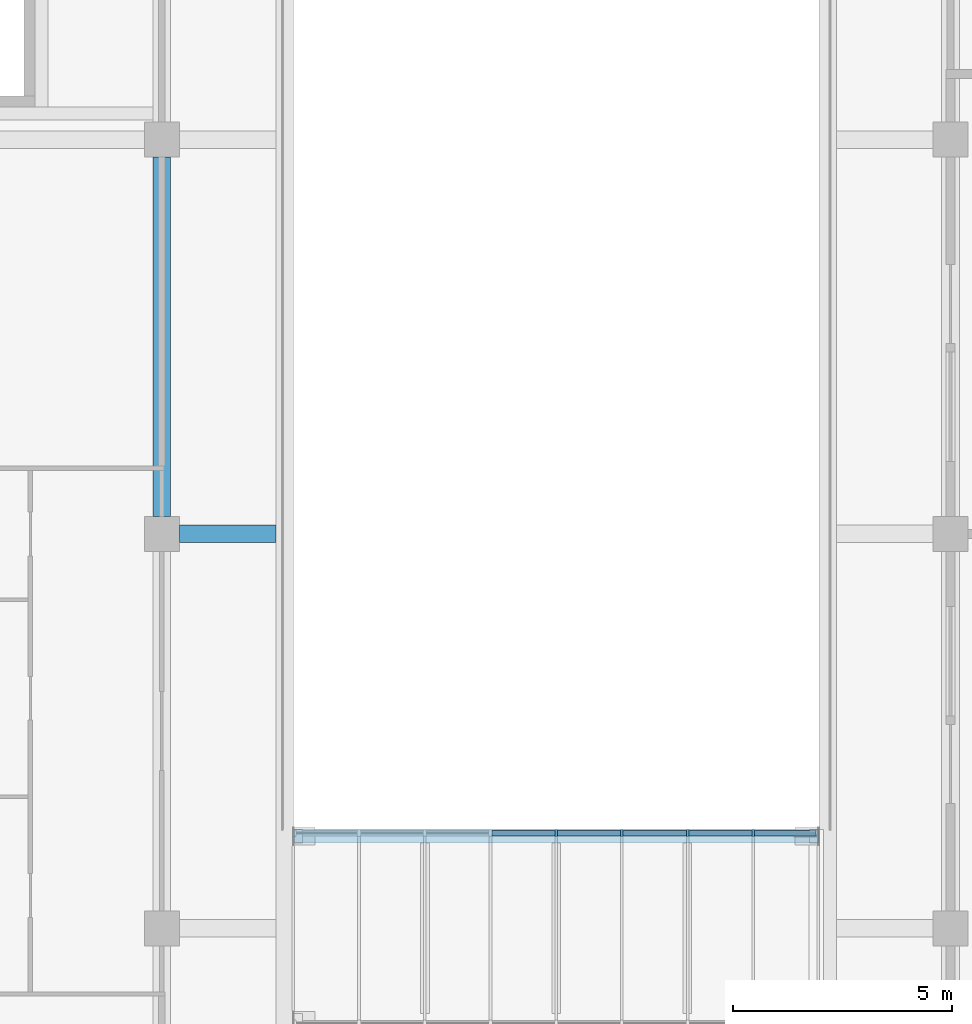
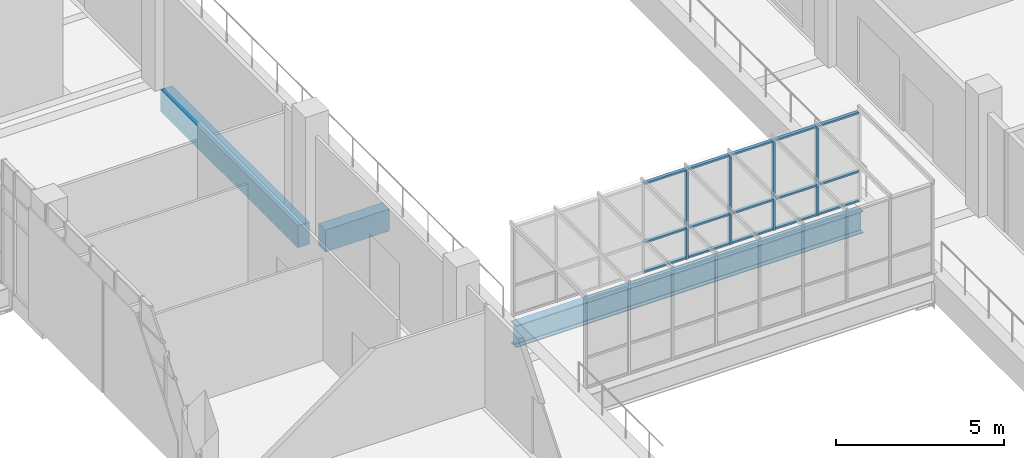
# One storey, part 17 of 88: 19 members, 3 beams, 1 element without a shape of its own.
"""IFC4 building model written with IfcOpenShell, lengths in metres."""

from ifc_helpers import new_model, si_unit, direction, frame, origin, origin_2d, place, context, subcontext, project, spatial, rectangle, i_section, extrude, material, layer, layer_set, material_profile, profile_set, type_object, element, aggregate, save


model = new_model("IFC4")

# Units and contexts
model_context = context("Model", 3, precision=1e-05, world=origin(), true_north=direction((0.0, 1.0)))
body_context = subcontext(model_context, "Body", "Model", "MODEL_VIEW")
ifc_project = project(units=[si_unit("LENGTHUNIT", "METRE"), si_unit("AREAUNIT", "SQUARE_METRE"), si_unit("VOLUMEUNIT", "CUBIC_METRE"), si_unit("PLANEANGLEUNIT", "RADIAN"), si_unit("MASSUNIT", "GRAM", prefix="KILO")], contexts=[model_context])

# Site, building, storey
site_placement = place(None, origin())
site = spatial("IfcSite", under=ifc_project, at=site_placement, CompositionType="ELEMENT")
building_placement = place(site_placement, origin())
building = spatial("IfcBuilding", under=site, at=building_placement, Name="Guidao Yard Department Store", CompositionType="ELEMENT")
storey_placement = place(building_placement, frame((0.0, 0.0, 6.0)))
storey = spatial("IfcBuildingStorey", under=building, at=storey_placement, Name="L01", CompositionType="ELEMENT", Elevation=6.0)

# Beams
ifc_material_1 = material(Name="Concrete C40", Category="concrete")
ifc_material_profile_1 = material_profile(ifc_material_1, rectangle(XDim=0.39990234375, YDim=0.800048828125, at=origin_2d()), Name="Edge beam 400 x 800 C40")
ifc_profile_set_1 = profile_set([ifc_material_profile_1], Name="Concrete C40")
beam_type_1 = type_object("IfcBeamType", Name="Edge beam 400 x 800 C40", PredefinedType="BEAM", material=ifc_profile_set_1)
beam_1_placement = place(storey_placement, frame((81.0, 72.39990234375, -0.39990234375), z_axis=(0.0, 1.0, 0.0), x_axis=(-1.0, 0.0, 0.0)))
element("IfcBeam", 1, at=beam_1_placement, inside=storey, type_object=beam_type_1, Name="Beam EB35", PredefinedType="BEAM", context=body_context, shape_type="SweptSolid", body=[
    extrude(rectangle(XDim=0.39990234375, YDim=0.800048828125, at=origin_2d()), origin(), (0.0, 0.0, 1.0), 8.2001953125),
])
beam_2_placement = place(storey_placement, frame((81.39990234375, 72.0, -0.39990234375), z_axis=(1.0, 0.0, 0.0), x_axis=(0.0, 1.0, 0.0)))
element("IfcBeam", 2, at=beam_2_placement, inside=storey, type_object=beam_type_1, Name="Beam EB41", PredefinedType="BEAM", context=body_context, shape_type="SweptSolid", body=[
    extrude(rectangle(XDim=0.39990234375, YDim=0.800048828125, at=origin_2d()), origin(), (0.0, 0.0, 1.0), 2.2001953125),
])
ifc_material_2 = material(Name="Steel Q355B", Category="steel")
ifc_material_profile_2 = material_profile(ifc_material_2, i_section(OverallWidth=0.300048828125, OverallDepth=0.800048828125, WebThickness=0.013916015625, FlangeThickness=0.02587890625, FilletRadius=0.01806640625, at=origin_2d()), Name="HN 800x300x14x26")
ifc_profile_set_2 = profile_set([ifc_material_profile_2], Name="Steel Q355B")
beam_type_2 = type_object("IfcBeamType", Name="HN 800x300x14x26", PredefinedType="BEAM", material=ifc_profile_set_2)
beam_3_placement = place(storey_placement, frame((84.014892578125, 65.10009765625, -0.64990234375), z_axis=(1.0, 0.0, 0.0), x_axis=(0.0, 1.0, 0.0)))
element("IfcBeam", 3, at=beam_3_placement, inside=storey, type_object=beam_type_2, Name="Bridge girder BR09N", PredefinedType="BEAM", context=body_context, shape_type="SweptSolid", body=[
    extrude(i_section(OverallWidth=0.300048828125, OverallDepth=0.800048828125, WebThickness=0.013916015625, FlangeThickness=0.02587890625, FilletRadius=0.01806640625, at=origin_2d()), origin(), (0.0, 0.0, 1.0), 11.97021484375),
])

# Curtain wall, members
ifc_material_3 = material(Name="Aluminium and glass", Category="aluminium")
ifc_layer = layer(ifc_material_3, 0.159912109375)
ifc_layer_set = layer_set([ifc_layer], Name="Bridge glazing CW5 1500 module")
curtain_wall_type = type_object("IfcCurtainWallType", Name="Bridge glazing CW5 1500 module", PredefinedType="NOTDEFINED", material=ifc_layer_set)
curtain_wall_placement = place(storey_placement, origin())
curtain_wall = element("IfcCurtainWall", 4, at=curtain_wall_placement, inside=storey, type_object=curtain_wall_type, Name="Bridge glazing BR09 N", PredefinedType="NOTDEFINED")
ifc_material_4 = material(Name="Aluminium 6063-T5", Category="aluminium")
ifc_material_profile_3 = material_profile(ifc_material_4, rectangle(XDim=0.06005859375, YDim=0.159912109375, at=origin_2d()), Name="Mullion M1 60 x 160 aluminium pressure plate")
ifc_profile_set_3 = profile_set([ifc_material_profile_3], Name="Aluminium 6063-T5")
member_type_1 = type_object("IfcMemberType", Name="Mullion M1 60 x 160 aluminium pressure plate", PredefinedType="MULLION", material=ifc_profile_set_3)
member_1_placement = place(storey_placement, frame((90.0, 65.169921875, 0.0), z_axis=(0.0, 0.0, 1.0), x_axis=(1.0, 0.0, 0.0)))
member_1 = element("IfcMember", 5, at=member_1_placement, type_object=member_type_1, Name="CW-N-L01-10 mullion 5", PredefinedType="MULLION", context=body_context, shape_type="SweptSolid", body=[
    extrude(rectangle(XDim=0.06005859375, YDim=0.159912109375, at=origin_2d()), origin(), (0.0, 0.0, 1.0), 3.27001953125),
])
member_2_placement = place(storey_placement, frame((91.5, 65.169921875, 0.0), z_axis=(0.0, 0.0, 1.0), x_axis=(1.0, 0.0, 0.0)))
member_2 = element("IfcMember", 6, at=member_2_placement, type_object=member_type_1, Name="CW-N-L01-10 mullion 6", PredefinedType="MULLION", context=body_context, shape_type="SweptSolid", body=[
    extrude(rectangle(XDim=0.06005859375, YDim=0.159912109375, at=origin_2d()), origin(), (0.0, 0.0, 1.0), 3.27001953125),
])
member_3_placement = place(storey_placement, frame((93.0, 65.169921875, 0.0), z_axis=(0.0, 0.0, 1.0), x_axis=(1.0, 0.0, 0.0)))
member_3 = element("IfcMember", 7, at=member_3_placement, type_object=member_type_1, Name="CW-N-L01-10 mullion 7", PredefinedType="MULLION", context=body_context, shape_type="SweptSolid", body=[
    extrude(rectangle(XDim=0.06005859375, YDim=0.159912109375, at=origin_2d()), origin(), (0.0, 0.0, 1.0), 3.27001953125),
])
member_4_placement = place(storey_placement, frame((94.5, 65.169921875, 0.0), z_axis=(0.0, 0.0, 1.0), x_axis=(1.0, 0.0, 0.0)))
member_4 = element("IfcMember", 8, at=member_4_placement, type_object=member_type_1, Name="CW-N-L01-10 mullion 8", PredefinedType="MULLION", context=body_context, shape_type="SweptSolid", body=[
    extrude(rectangle(XDim=0.06005859375, YDim=0.159912109375, at=origin_2d()), origin(), (0.0, 0.0, 1.0), 3.27001953125),
])
ifc_material_5 = material(Name="Aluminium 6063-T5", Category="aluminium")
ifc_material_profile_4 = material_profile(ifc_material_5, rectangle(XDim=0.1201171875, YDim=0.06005859375, at=origin_2d()), Name="Transom T1 60 x 120 aluminium pressure plate")
ifc_profile_set_4 = profile_set([ifc_material_profile_4], Name="Aluminium 6063-T5")
member_type_2 = type_object("IfcMemberType", Name="Transom T1 60 x 120 aluminium pressure plate", PredefinedType="USERDEFINED", material=ifc_profile_set_4)
member_5_placement = place(storey_placement, frame((88.530029296875, 65.169921875, 0.030029296875), z_axis=(1.0, 0.0, 0.0), x_axis=(0.0, 1.0, 0.0)))
member_5 = element("IfcMember", 9, at=member_5_placement, type_object=member_type_2, Name="CW-N-L01-10 transom 4.1", ObjectType="TRANSOM", PredefinedType="USERDEFINED", context=body_context, shape_type="SweptSolid", body=[
    extrude(rectangle(XDim=0.1201171875, YDim=0.06005859375, at=origin_2d()), origin(), (0.0, 0.0, 1.0), 1.43994140625),
])
member_6_placement = place(storey_placement, frame((88.530029296875, 65.169921875, 1.10009765625), z_axis=(1.0, 0.0, 0.0), x_axis=(0.0, 1.0, 0.0)))
member_6 = element("IfcMember", 10, at=member_6_placement, type_object=member_type_2, Name="CW-N-L01-10 transom 4.2", ObjectType="TRANSOM", PredefinedType="USERDEFINED", context=body_context, shape_type="SweptSolid", body=[
    extrude(rectangle(XDim=0.1201171875, YDim=0.06005859375, at=origin_2d()), origin(), (0.0, 0.0, 1.0), 1.43994140625),
])
member_7_placement = place(storey_placement, frame((88.530029296875, 65.169921875, 3.239990234375), z_axis=(1.0, 0.0, 0.0), x_axis=(0.0, 1.0, 0.0)))
member_7 = element("IfcMember", 11, at=member_7_placement, type_object=member_type_2, Name="CW-N-L01-10 transom 4.3", ObjectType="TRANSOM", PredefinedType="USERDEFINED", context=body_context, shape_type="SweptSolid", body=[
    extrude(rectangle(XDim=0.1201171875, YDim=0.06005859375, at=origin_2d()), origin(), (0.0, 0.0, 1.0), 1.43994140625),
])
member_8_placement = place(storey_placement, frame((90.030029296875, 65.169921875, 0.030029296875), z_axis=(1.0, 0.0, 0.0), x_axis=(0.0, 1.0, 0.0)))
member_8 = element("IfcMember", 12, at=member_8_placement, type_object=member_type_2, Name="CW-N-L01-10 transom 5.1", ObjectType="TRANSOM", PredefinedType="USERDEFINED", context=body_context, shape_type="SweptSolid", body=[
    extrude(rectangle(XDim=0.1201171875, YDim=0.06005859375, at=origin_2d()), origin(), (0.0, 0.0, 1.0), 1.43994140625),
])
member_9_placement = place(storey_placement, frame((90.030029296875, 65.169921875, 1.10009765625), z_axis=(1.0, 0.0, 0.0), x_axis=(0.0, 1.0, 0.0)))
member_9 = element("IfcMember", 13, at=member_9_placement, type_object=member_type_2, Name="CW-N-L01-10 transom 5.2", ObjectType="TRANSOM", PredefinedType="USERDEFINED", context=body_context, shape_type="SweptSolid", body=[
    extrude(rectangle(XDim=0.1201171875, YDim=0.06005859375, at=origin_2d()), origin(), (0.0, 0.0, 1.0), 1.43994140625),
])
member_10_placement = place(storey_placement, frame((90.030029296875, 65.169921875, 3.239990234375), z_axis=(1.0, 0.0, 0.0), x_axis=(0.0, 1.0, 0.0)))
member_10 = element("IfcMember", 14, at=member_10_placement, type_object=member_type_2, Name="CW-N-L01-10 transom 5.3", ObjectType="TRANSOM", PredefinedType="USERDEFINED", context=body_context, shape_type="SweptSolid", body=[
    extrude(rectangle(XDim=0.1201171875, YDim=0.06005859375, at=origin_2d()), origin(), (0.0, 0.0, 1.0), 1.43994140625),
])
member_11_placement = place(storey_placement, frame((91.530029296875, 65.169921875, 0.030029296875), z_axis=(1.0, 0.0, 0.0), x_axis=(0.0, 1.0, 0.0)))
member_11 = element("IfcMember", 15, at=member_11_placement, type_object=member_type_2, Name="CW-N-L01-10 transom 6.1", ObjectType="TRANSOM", PredefinedType="USERDEFINED", context=body_context, shape_type="SweptSolid", body=[
    extrude(rectangle(XDim=0.1201171875, YDim=0.06005859375, at=origin_2d()), origin(), (0.0, 0.0, 1.0), 1.43994140625),
])
member_12_placement = place(storey_placement, frame((91.530029296875, 65.169921875, 1.10009765625), z_axis=(1.0, 0.0, 0.0), x_axis=(0.0, 1.0, 0.0)))
member_12 = element("IfcMember", 16, at=member_12_placement, type_object=member_type_2, Name="CW-N-L01-10 transom 6.2", ObjectType="TRANSOM", PredefinedType="USERDEFINED", context=body_context, shape_type="SweptSolid", body=[
    extrude(rectangle(XDim=0.1201171875, YDim=0.06005859375, at=origin_2d()), origin(), (0.0, 0.0, 1.0), 1.43994140625),
])
member_13_placement = place(storey_placement, frame((91.530029296875, 65.169921875, 3.239990234375), z_axis=(1.0, 0.0, 0.0), x_axis=(0.0, 1.0, 0.0)))
member_13 = element("IfcMember", 17, at=member_13_placement, type_object=member_type_2, Name="CW-N-L01-10 transom 6.3", ObjectType="TRANSOM", PredefinedType="USERDEFINED", context=body_context, shape_type="SweptSolid", body=[
    extrude(rectangle(XDim=0.1201171875, YDim=0.06005859375, at=origin_2d()), origin(), (0.0, 0.0, 1.0), 1.43994140625),
])
member_14_placement = place(storey_placement, frame((93.030029296875, 65.169921875, 0.030029296875), z_axis=(1.0, 0.0, 0.0), x_axis=(0.0, 1.0, 0.0)))
member_14 = element("IfcMember", 18, at=member_14_placement, type_object=member_type_2, Name="CW-N-L01-10 transom 7.1", ObjectType="TRANSOM", PredefinedType="USERDEFINED", context=body_context, shape_type="SweptSolid", body=[
    extrude(rectangle(XDim=0.1201171875, YDim=0.06005859375, at=origin_2d()), origin(), (0.0, 0.0, 1.0), 1.43994140625),
])
member_15_placement = place(storey_placement, frame((93.030029296875, 65.169921875, 1.10009765625), z_axis=(1.0, 0.0, 0.0), x_axis=(0.0, 1.0, 0.0)))
member_15 = element("IfcMember", 19, at=member_15_placement, type_object=member_type_2, Name="CW-N-L01-10 transom 7.2", ObjectType="TRANSOM", PredefinedType="USERDEFINED", context=body_context, shape_type="SweptSolid", body=[
    extrude(rectangle(XDim=0.1201171875, YDim=0.06005859375, at=origin_2d()), origin(), (0.0, 0.0, 1.0), 1.43994140625),
])
member_16_placement = place(storey_placement, frame((93.030029296875, 65.169921875, 3.239990234375), z_axis=(1.0, 0.0, 0.0), x_axis=(0.0, 1.0, 0.0)))
member_16 = element("IfcMember", 20, at=member_16_placement, type_object=member_type_2, Name="CW-N-L01-10 transom 7.3", ObjectType="TRANSOM", PredefinedType="USERDEFINED", context=body_context, shape_type="SweptSolid", body=[
    extrude(rectangle(XDim=0.1201171875, YDim=0.06005859375, at=origin_2d()), origin(), (0.0, 0.0, 1.0), 1.43994140625),
])
member_17_placement = place(storey_placement, frame((94.530029296875, 65.169921875, 0.030029296875), z_axis=(1.0, 0.0, 0.0), x_axis=(0.0, 1.0, 0.0)))
member_17 = element("IfcMember", 21, at=member_17_placement, type_object=member_type_2, Name="CW-N-L01-10 transom 8.1", ObjectType="TRANSOM", PredefinedType="USERDEFINED", context=body_context, shape_type="SweptSolid", body=[
    extrude(rectangle(XDim=0.1201171875, YDim=0.06005859375, at=origin_2d()), origin(), (0.0, 0.0, 1.0), 1.39501953125),
])
member_18_placement = place(storey_placement, frame((94.530029296875, 65.169921875, 1.10009765625), z_axis=(1.0, 0.0, 0.0), x_axis=(0.0, 1.0, 0.0)))
member_18 = element("IfcMember", 22, at=member_18_placement, type_object=member_type_2, Name="CW-N-L01-10 transom 8.2", ObjectType="TRANSOM", PredefinedType="USERDEFINED", context=body_context, shape_type="SweptSolid", body=[
    extrude(rectangle(XDim=0.1201171875, YDim=0.06005859375, at=origin_2d()), origin(), (0.0, 0.0, 1.0), 1.39501953125),
])
member_19_placement = place(storey_placement, frame((94.530029296875, 65.169921875, 3.239990234375), z_axis=(1.0, 0.0, 0.0), x_axis=(0.0, 1.0, 0.0)))
member_19 = element("IfcMember", 23, at=member_19_placement, type_object=member_type_2, Name="CW-N-L01-10 transom 8.3", ObjectType="TRANSOM", PredefinedType="USERDEFINED", context=body_context, shape_type="SweptSolid", body=[
    extrude(rectangle(XDim=0.1201171875, YDim=0.06005859375, at=origin_2d()), origin(), (0.0, 0.0, 1.0), 1.39501953125),
])
aggregate(curtain_wall, [member_1, member_2, member_3, member_4, member_5, member_6, member_7, member_8, member_9, member_10, member_11, member_12, member_13, member_14, member_15, member_16, member_17, member_18, member_19])

save(model, "model.ifc")
